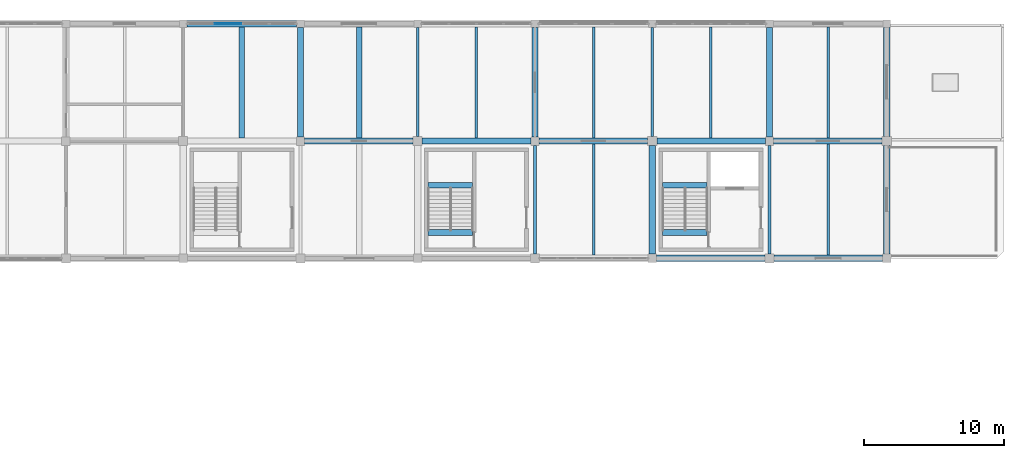
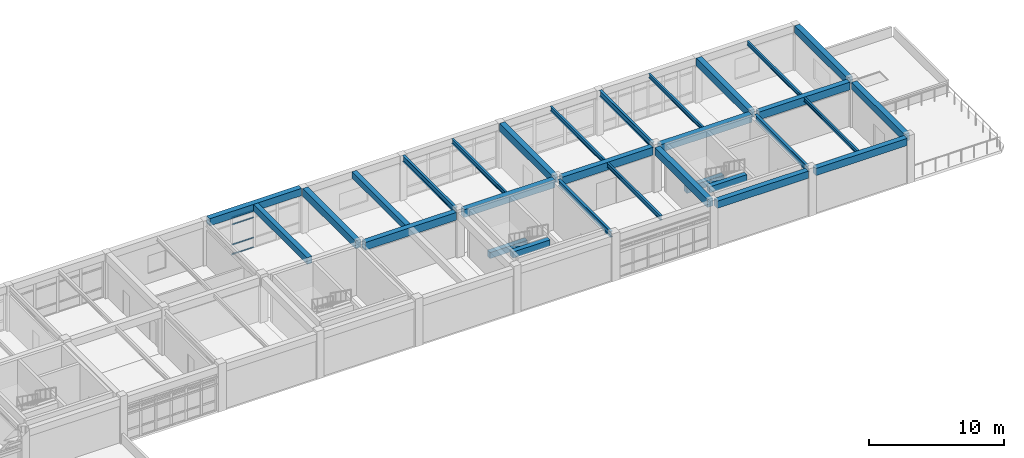
# One storey, part 8 of 18: 30 beams, 4 members, 1 element without a shape of its own.
"""IFC4 building model written with IfcOpenShell, lengths in metres."""

from ifc_helpers import new_model, si_unit, direction, frame, origin, origin_2d, place, context, subcontext, project, spatial, rectangle, i_section, extrude, material, layer, layer_set, material_profile, profile_set, type_object, element, aggregate, save


model = new_model("IFC4")

# Units and contexts
model_context = context("Model", 3, precision=1e-05, world=origin(), true_north=direction((0.0, 1.0)))
body_context = subcontext(model_context, "Body", "Model", "MODEL_VIEW")
ifc_project = project(units=[si_unit("LENGTHUNIT", "METRE"), si_unit("AREAUNIT", "SQUARE_METRE"), si_unit("VOLUMEUNIT", "CUBIC_METRE"), si_unit("PLANEANGLEUNIT", "RADIAN"), si_unit("MASSUNIT", "GRAM", prefix="KILO")], contexts=[model_context])

# Site, building, storey
site_placement = place(None, origin())
site = spatial("IfcSite", under=ifc_project, at=site_placement, CompositionType="ELEMENT")
building_placement = place(site_placement, origin())
building = spatial("IfcBuilding", under=site, at=building_placement, Name="Porcellanite Civic Hall", CompositionType="ELEMENT")
storey_placement = place(building_placement, frame((0.0, 0.0, 23.39990234375)))
storey = spatial("IfcBuildingStorey", under=building, at=storey_placement, Name="L05", CompositionType="ELEMENT", Elevation=23.39990234375)

# Beams
ifc_material_1 = material(Name="Concrete N50 (50 MPa)", Category="concrete")
ifc_material_profile_1 = material_profile(ifc_material_1, rectangle(XDim=0.39990234375, YDim=0.550048828125, at=origin_2d()), Name="RC-400x550")
ifc_profile_set_1 = profile_set([ifc_material_profile_1], Name="Concrete N50 (50 MPa)")
beam_type_1 = type_object("IfcBeamType", Name="BM-RC550", PredefinedType="JOIST", material=ifc_profile_set_1)
beam_1_placement = place(storey_placement, frame((88.199951171875, 109.424560546875, 3.795166015625), z_axis=(0.0, 1.0, 0.0), x_axis=(-1.0, 0.0, 0.0)))
element("IfcBeam", 1, at=beam_1_placement, inside=storey, type_object=beam_type_1, Name="Secondary joist L05 11-14", PredefinedType="JOIST", context=body_context, shape_type="SweptSolid", body=[
    extrude(rectangle(XDim=0.39990234375, YDim=0.550048828125, at=origin_2d()), origin(), (0.0, 0.0, 1.0), 7.950927734375),
])
for number, where, z_axis, x_axis, name in (
    (2, (109.9404296875, 106.02490234375, 1.705078125), (1.0, 0.0, 0.0), (0.0, 1.0, 0.0), "Stair landing beam C4 L05"),
    (3, (109.9404296875, 102.64990234375, 3.795166015625), (1.0, 0.0, 0.0), (0.0, 1.0, 0.0), "Stair header beam C4 L05"),
):
    element("IfcBeam", number, at=place(storey_placement, frame(where, z_axis=z_axis, x_axis=x_axis)), inside=storey, type_object=beam_type_1, Name=name, PredefinedType="JOIST", context=body_context, shape_type="SweptSolid", body=[
        extrude(rectangle(XDim=0.39990234375, YDim=0.550048828125, at=origin_2d()), origin(), (0.0, 0.0, 1.0), 3.178955078125),
    ])
for number, where, z_axis, x_axis, name in (
    (4, (93.140380859375, 106.02490234375, 1.705078125), (1.0, 0.0, 0.0), (0.0, 1.0, 0.0), "Stair landing beam S10 L05"),
    (5, (93.140380859375, 102.64990234375, 3.795166015625), (1.0, 0.0, 0.0), (0.0, 1.0, 0.0), "Stair header beam S10 L05"),
):
    element("IfcBeam", number, at=place(storey_placement, frame(where, z_axis=z_axis, x_axis=x_axis)), inside=storey, type_object=beam_type_1, Name=name, PredefinedType="JOIST", context=body_context, shape_type="SweptSolid", body=[
        extrude(rectangle(XDim=0.39990234375, YDim=0.550048828125, at=origin_2d()), origin(), (0.0, 0.0, 1.0), 3.17919921875),
    ])
ifc_material_2 = material(Name="Concrete N50 (50 MPa)", Category="concrete")
ifc_material_profile_2 = material_profile(ifc_material_2, rectangle(XDim=0.39990234375, YDim=0.60009765625, at=origin_2d()), Name="RC-400x600")
ifc_profile_set_2 = profile_set([ifc_material_profile_2], Name="Concrete N50 (50 MPa)")
beam_type_2 = type_object("IfcBeamType", Name="BM-RC600", PredefinedType="JOIST", material=ifc_profile_set_2)
beam_2_placement = place(storey_placement, frame((79.800048828125, 109.424560546875, 3.77001953125), z_axis=(0.0, 1.0, 0.0), x_axis=(-1.0, 0.0, 0.0)))
element("IfcBeam", 6, at=beam_2_placement, inside=storey, type_object=beam_type_2, Name="Secondary joist L05 10-14", PredefinedType="JOIST", context=body_context, shape_type="SweptSolid", body=[
    extrude(rectangle(XDim=0.39990234375, YDim=0.60009765625, at=origin_2d()), origin(), (0.0, 0.0, 1.0), 7.950927734375),
])
ifc_material_3 = material(Name="Concrete N50 (50 MPa)", Category="concrete")
ifc_material_profile_3 = material_profile(ifc_material_3, rectangle(XDim=0.449951171875, YDim=0.64990234375, at=origin_2d()), Name="RC-450x650")
ifc_profile_set_3 = profile_set([ifc_material_profile_3], Name="Concrete N50 (50 MPa)")
beam_type_3 = type_object("IfcBeamType", Name="BM-RC650", PredefinedType="SPANDREL", material=ifc_profile_set_3)
beam_3_placement = place(storey_placement, frame((75.87451171875, 117.60009765625, 3.7451171875), z_axis=(1.0, 0.0, 0.0), x_axis=(0.0, 1.0, 0.0)))
element("IfcBeam", 7, at=beam_3_placement, inside=storey, type_object=beam_type_3, Name="Beam X L05 10-15", PredefinedType="SPANDREL", context=body_context, shape_type="SweptSolid", body=[
    extrude(rectangle(XDim=0.449951171875, YDim=0.64990234375, at=origin_2d()), origin(), (0.0, 0.0, 1.0), 7.85107421875),
])
for number, where, z_axis, x_axis, name in (
    (8, (109.49951171875, 100.800048828125, 3.7451171875), (1.0, 0.0, 0.0), (0.0, 1.0, 0.0), "Beam X L05 14-13"),
    (9, (117.924560546875, 100.800048828125, 3.7451171875), (1.0, 0.0, 0.0), (0.0, 1.0, 0.0), "Beam X L05 15-13"),
    (10, (126.0, 101.099609375, 3.7451171875), (0.0, 1.0, 0.0), (-1.0, 0.0, 0.0), "Beam Y L05 16-13"),
):
    element("IfcBeam", number, at=place(storey_placement, frame(where, z_axis=z_axis, x_axis=x_axis)), inside=storey, type_object=beam_type_3, Name=name, PredefinedType="SPANDREL", context=body_context, shape_type="SweptSolid", body=[
        extrude(rectangle(XDim=0.449951171875, YDim=0.64990234375, at=origin_2d()), origin(), (0.0, 0.0, 1.0), 7.77587890625),
    ])
beam_4_placement = place(storey_placement, frame((126.0, 109.5244140625, 3.7451171875), z_axis=(0.0, 1.0, 0.0), x_axis=(-1.0, 0.0, 0.0)))
element("IfcBeam", 11, at=beam_4_placement, inside=storey, type_object=beam_type_3, Name="Beam Y L05 16-14", PredefinedType="SPANDREL", context=body_context, shape_type="SweptSolid", body=[
    extrude(rectangle(XDim=0.449951171875, YDim=0.64990234375, at=origin_2d()), origin(), (0.0, 0.0, 1.0), 7.801025390625),
])
ifc_material_4 = material(Name="Concrete N50 (50 MPa)", Category="concrete")
ifc_material_profile_4 = material_profile(ifc_material_4, rectangle(XDim=0.449951171875, YDim=0.699951171875, at=origin_2d()), Name="RC-450x700")
ifc_profile_set_4 = profile_set([ifc_material_profile_4], Name="Concrete N50 (50 MPa)")
beam_type_4 = type_object("IfcBeamType", Name="BM-RC700", PredefinedType="BEAM", material=ifc_profile_set_4)
for number, where, z_axis, x_axis, name in (
    (12, (84.299560546875, 109.199951171875, 3.72021484375), (1.0, 0.0, 0.0), (0.0, 1.0, 0.0), "Beam X L05 11-14"),
    (13, (92.724609375, 109.199951171875, 3.72021484375), (1.0, 0.0, 0.0), (0.0, 1.0, 0.0), "Beam X L05 12-14"),
    (14, (101.099609375, 109.199951171875, 3.72021484375), (1.0, 0.0, 0.0), (0.0, 1.0, 0.0), "Beam X L05 13-14"),
):
    element("IfcBeam", number, at=place(storey_placement, frame(where, z_axis=z_axis, x_axis=x_axis)), inside=storey, type_object=beam_type_4, Name=name, PredefinedType="BEAM", context=body_context, shape_type="SweptSolid", body=[
        extrude(rectangle(XDim=0.449951171875, YDim=0.699951171875, at=origin_2d()), origin(), (0.0, 0.0, 1.0), 7.77587890625),
    ])
for number, where, z_axis, x_axis, name in (
    (15, (109.5244140625, 109.199951171875, 3.72021484375), (1.0, 0.0, 0.0), (0.0, 1.0, 0.0), "Beam X L05 14-14"),
    (16, (117.8994140625, 109.199951171875, 3.72021484375), (1.0, 0.0, 0.0), (0.0, 1.0, 0.0), "Beam X L05 15-14"),
):
    element("IfcBeam", number, at=place(storey_placement, frame(where, z_axis=z_axis, x_axis=x_axis)), inside=storey, type_object=beam_type_4, Name=name, PredefinedType="BEAM", context=body_context, shape_type="SweptSolid", body=[
        extrude(rectangle(XDim=0.449951171875, YDim=0.699951171875, at=origin_2d()), origin(), (0.0, 0.0, 1.0), 7.776123046875),
    ])
for number, where, z_axis, x_axis, name in (
    (17, (84.0, 109.49951171875, 3.72021484375), (0.0, 1.0, 0.0), (-1.0, 0.0, 0.0), "Beam Y L05 11-14"),
    (18, (100.800048828125, 109.49951171875, 3.72021484375), (0.0, 1.0, 0.0), (-1.0, 0.0, 0.0), "Beam Y L05 13-14"),
):
    element("IfcBeam", number, at=place(storey_placement, frame(where, z_axis=z_axis, x_axis=x_axis)), inside=storey, type_object=beam_type_4, Name=name, PredefinedType="BEAM", context=body_context, shape_type="SweptSolid", body=[
        extrude(rectangle(XDim=0.449951171875, YDim=0.699951171875, at=origin_2d()), origin(), (0.0, 0.0, 1.0), 7.825927734375),
    ])
beam_5_placement = place(storey_placement, frame((109.199951171875, 101.099609375, 3.72021484375), z_axis=(0.0, 1.0, 0.0), x_axis=(-1.0, 0.0, 0.0)))
element("IfcBeam", 19, at=beam_5_placement, inside=storey, type_object=beam_type_4, Name="Beam Y L05 14-13", PredefinedType="BEAM", context=body_context, shape_type="SweptSolid", body=[
    extrude(rectangle(XDim=0.449951171875, YDim=0.699951171875, at=origin_2d()), origin(), (0.0, 0.0, 1.0), 7.77587890625),
])
beam_6_placement = place(storey_placement, frame((117.60009765625, 109.49951171875, 3.72021484375), z_axis=(0.0, 1.0, 0.0), x_axis=(-1.0, 0.0, 0.0)))
element("IfcBeam", 20, at=beam_6_placement, inside=storey, type_object=beam_type_4, Name="Beam Y L05 15-14", PredefinedType="BEAM", context=body_context, shape_type="SweptSolid", body=[
    extrude(rectangle(XDim=0.449951171875, YDim=0.699951171875, at=origin_2d()), origin(), (0.0, 0.0, 1.0), 7.825927734375),
])

# Curtain wall, members
ifc_material_5 = material(Name="Anodised aluminium and solar laminated glass", Category="aluminium")
ifc_layer = layer(ifc_material_5, 0.179931640625)
ifc_layer_set = layer_set([ifc_layer], Name="Anodised aluminium and solar laminated glass")
curtain_wall_type = type_object("IfcCurtainWallType", Name="CW-SYS04", PredefinedType="NOTDEFINED", material=ifc_layer_set)
curtain_wall_placement = place(storey_placement, origin())
curtain_wall = element("IfcCurtainWall", 21, at=curtain_wall_placement, inside=storey, type_object=curtain_wall_type, Name="Curtain wall CW-265", PredefinedType="NOTDEFINED")
ifc_material_6 = material(Name="Anodised aluminium 6063-T6", Category="aluminium")
ifc_material_profile_5 = material_profile(ifc_material_6, rectangle(XDim=0.054931640625, YDim=0.10009765625, at=origin_2d()), Name="AL-55x100")
ifc_profile_set_5 = profile_set([ifc_material_profile_5], Name="Anodised aluminium 6063-T6")
member_type = type_object("IfcMemberType", Name="CWT-05", PredefinedType="USERDEFINED", material=ifc_profile_set_5)
member_1_placement = place(storey_placement, frame((77.87548828125, 117.60009765625, 0.027587890625), z_axis=(1.0, 0.0, 0.0), x_axis=(0.0, 1.0, 0.0)))
member_1 = element("IfcMember", 22, at=member_1_placement, type_object=member_type, Name="CW-265 transom 2.1", ObjectType="TRANSOM", PredefinedType="USERDEFINED", context=body_context, shape_type="SweptSolid", body=[
    extrude(rectangle(XDim=0.054931640625, YDim=0.10009765625, at=origin_2d()), origin(), (0.0, 0.0, 1.0), 1.886962890625),
])
member_2_placement = place(storey_placement, frame((77.87548828125, 117.60009765625, 0.900146484375), z_axis=(1.0, 0.0, 0.0), x_axis=(0.0, 1.0, 0.0)))
member_2 = element("IfcMember", 23, at=member_2_placement, type_object=member_type, Name="CW-265 transom 2.2", ObjectType="TRANSOM", PredefinedType="USERDEFINED", context=body_context, shape_type="SweptSolid", body=[
    extrude(rectangle(XDim=0.054931640625, YDim=0.10009765625, at=origin_2d()), origin(), (0.0, 0.0, 1.0), 1.886962890625),
])
member_3_placement = place(storey_placement, frame((77.87548828125, 117.60009765625, 2.72021484375), z_axis=(1.0, 0.0, 0.0), x_axis=(0.0, 1.0, 0.0)))
member_3 = element("IfcMember", 24, at=member_3_placement, type_object=member_type, Name="CW-265 transom 2.3", ObjectType="TRANSOM", PredefinedType="USERDEFINED", context=body_context, shape_type="SweptSolid", body=[
    extrude(rectangle(XDim=0.054931640625, YDim=0.10009765625, at=origin_2d()), origin(), (0.0, 0.0, 1.0), 1.886962890625),
])
member_4_placement = place(storey_placement, frame((77.87548828125, 117.60009765625, 3.342529296875), z_axis=(1.0, 0.0, 0.0), x_axis=(0.0, 1.0, 0.0)))
member_4 = element("IfcMember", 25, at=member_4_placement, type_object=member_type, Name="CW-265 transom 2.4", ObjectType="TRANSOM", PredefinedType="USERDEFINED", context=body_context, shape_type="SweptSolid", body=[
    extrude(rectangle(XDim=0.054931640625, YDim=0.10009765625, at=origin_2d()), origin(), (0.0, 0.0, 1.0), 1.886962890625),
])
aggregate(curtain_wall, [member_1, member_2, member_3, member_4])

# Beams
ifc_material_7 = material(Name="Steel Grade 350", Category="steel")
ifc_material_profile_6 = material_profile(ifc_material_7, i_section(OverallWidth=0.1708984375, OverallDepth=0.35595703125, WebThickness=0.00732421875, FlangeThickness=0.011474609375, FilletRadius=0.011474609375, at=origin_2d()), Name="360UB50.7")
ifc_profile_set_6 = profile_set([ifc_material_profile_6], Name="Steel Grade 350")
beam_type_5 = type_object("IfcBeamType", Name="JST-360UB51", PredefinedType="JOIST", material=ifc_profile_set_6)
beam_7_placement = place(storey_placement, frame((121.800048828125, 109.424560546875, 3.89208984375), z_axis=(0.0, 1.0, 0.0), x_axis=(-1.0, 0.0, 0.0)))
element("IfcBeam", 26, at=beam_7_placement, inside=storey, type_object=beam_type_5, Name="Secondary joist L05 15-14", PredefinedType="JOIST", context=body_context, shape_type="SweptSolid", body=[
    extrude(i_section(OverallWidth=0.1708984375, OverallDepth=0.35595703125, WebThickness=0.00732421875, FlangeThickness=0.011474609375, FilletRadius=0.011474609375, at=origin_2d()), origin(), (0.0, 0.0, 1.0), 7.950927734375),
])
ifc_material_8 = material(Name="Steel Grade 350", Category="steel")
ifc_material_profile_7 = material_profile(ifc_material_8, i_section(OverallWidth=0.172119140625, OverallDepth=0.35888671875, WebThickness=0.008056640625, FlangeThickness=0.012939453125, FilletRadius=0.011474609375, at=origin_2d()), Name="360UB56.7")
ifc_profile_set_7 = profile_set([ifc_material_profile_7], Name="Steel Grade 350")
beam_type_6 = type_object("IfcBeamType", Name="JST-360UB57", PredefinedType="JOIST", material=ifc_profile_set_7)
beam_8_placement = place(storey_placement, frame((113.39990234375, 109.424560546875, 3.890625), z_axis=(0.0, 1.0, 0.0), x_axis=(-1.0, 0.0, 0.0)))
element("IfcBeam", 27, at=beam_8_placement, inside=storey, type_object=beam_type_6, Name="Secondary joist L05 14-14", PredefinedType="JOIST", context=body_context, shape_type="SweptSolid", body=[
    extrude(i_section(OverallWidth=0.172119140625, OverallDepth=0.35888671875, WebThickness=0.008056640625, FlangeThickness=0.012939453125, FilletRadius=0.011474609375, at=origin_2d()), origin(), (0.0, 0.0, 1.0), 7.950927734375),
])
beam_9_placement = place(storey_placement, frame((121.800048828125, 101.0244140625, 3.890625), z_axis=(0.0, 1.0, 0.0), x_axis=(-1.0, 0.0, 0.0)))
element("IfcBeam", 28, at=beam_9_placement, inside=storey, type_object=beam_type_6, Name="Secondary joist L05 15-13", PredefinedType="JOIST", context=body_context, shape_type="SweptSolid", body=[
    extrude(i_section(OverallWidth=0.172119140625, OverallDepth=0.35888671875, WebThickness=0.008056640625, FlangeThickness=0.012939453125, FilletRadius=0.011474609375, at=origin_2d()), origin(), (0.0, 0.0, 1.0), 7.951171875),
])
ifc_material_9 = material(Name="Steel Grade 350", Category="steel")
ifc_material_profile_8 = material_profile(ifc_material_9, i_section(OverallWidth=0.177978515625, OverallDepth=0.403076171875, WebThickness=0.007568359375, FlangeThickness=0.010986328125, FilletRadius=0.011474609375, at=origin_2d()), Name="410UB53.7")
ifc_profile_set_8 = profile_set([ifc_material_profile_8], Name="Steel Grade 350")
beam_type_7 = type_object("IfcBeamType", Name="JST-410UB54", PredefinedType="JOIST", material=ifc_profile_set_8)
beam_10_placement = place(storey_placement, frame((105.0, 109.424560546875, 3.86865234375), z_axis=(0.0, 1.0, 0.0), x_axis=(-1.0, 0.0, 0.0)))
element("IfcBeam", 29, at=beam_10_placement, inside=storey, type_object=beam_type_7, Name="Secondary joist L05 13-14", PredefinedType="JOIST", context=body_context, shape_type="SweptSolid", body=[
    extrude(i_section(OverallWidth=0.177978515625, OverallDepth=0.403076171875, WebThickness=0.007568359375, FlangeThickness=0.010986328125, FilletRadius=0.011474609375, at=origin_2d()), origin(), (0.0, 0.0, 1.0), 7.950927734375),
])
ifc_material_10 = material(Name="Steel Grade 350", Category="steel")
ifc_material_profile_9 = material_profile(ifc_material_10, i_section(OverallWidth=0.177978515625, OverallDepth=0.406005859375, WebThickness=0.0078125, FlangeThickness=0.0126953125, FilletRadius=0.011474609375, at=origin_2d()), Name="410UB59.7")
ifc_profile_set_9 = profile_set([ifc_material_profile_9], Name="Steel Grade 350")
beam_type_8 = type_object("IfcBeamType", Name="JST-410UB60", PredefinedType="JOIST", material=ifc_profile_set_9)
beam_11_placement = place(storey_placement, frame((96.60009765625, 109.424560546875, 3.8671875), z_axis=(0.0, 1.0, 0.0), x_axis=(-1.0, 0.0, 0.0)))
element("IfcBeam", 30, at=beam_11_placement, inside=storey, type_object=beam_type_8, Name="Secondary joist L05 12-14", PredefinedType="JOIST", context=body_context, shape_type="SweptSolid", body=[
    extrude(i_section(OverallWidth=0.177978515625, OverallDepth=0.406005859375, WebThickness=0.0078125, FlangeThickness=0.0126953125, FilletRadius=0.011474609375, at=origin_2d()), origin(), (0.0, 0.0, 1.0), 7.950927734375),
])
beam_12_placement = place(storey_placement, frame((105.0, 101.0244140625, 3.8671875), z_axis=(0.0, 1.0, 0.0), x_axis=(-1.0, 0.0, 0.0)))
element("IfcBeam", 31, at=beam_12_placement, inside=storey, type_object=beam_type_8, Name="Secondary joist L05 13-13", PredefinedType="JOIST", context=body_context, shape_type="SweptSolid", body=[
    extrude(i_section(OverallWidth=0.177978515625, OverallDepth=0.406005859375, WebThickness=0.0078125, FlangeThickness=0.0126953125, FilletRadius=0.011474609375, at=origin_2d()), origin(), (0.0, 0.0, 1.0), 7.951171875),
])
ifc_material_11 = material(Name="Steel Grade 350", Category="steel")
ifc_material_profile_10 = material_profile(ifc_material_11, i_section(OverallWidth=0.208984375, OverallDepth=0.528076171875, WebThickness=0.009521484375, FlangeThickness=0.01318359375, FilletRadius=0.013916015625, at=origin_2d()), Name="530UB82.0")
ifc_profile_set_10 = profile_set([ifc_material_profile_10], Name="Steel Grade 350")
beam_type_9 = type_object("IfcBeamType", Name="RAF-530UB82", PredefinedType="BEAM", material=ifc_profile_set_10)
beam_13_placement = place(storey_placement, frame((92.39990234375, 109.5244140625, 3.80615234375), z_axis=(0.0, 1.0, 0.0), x_axis=(-1.0, 0.0, 0.0)))
element("IfcBeam", 32, at=beam_13_placement, inside=storey, type_object=beam_type_9, Name="Beam Y L05 12-14", PredefinedType="BEAM", context=body_context, shape_type="SweptSolid", body=[
    extrude(i_section(OverallWidth=0.208984375, OverallDepth=0.528076171875, WebThickness=0.009521484375, FlangeThickness=0.01318359375, FilletRadius=0.013916015625, at=origin_2d()), origin(), (0.0, 0.0, 1.0), 7.801025390625),
])
beam_14_placement = place(storey_placement, frame((100.800048828125, 101.12451171875, 3.80615234375), z_axis=(0.0, 1.0, 0.0), x_axis=(-1.0, 0.0, 0.0)))
element("IfcBeam", 33, at=beam_14_placement, inside=storey, type_object=beam_type_9, Name="Beam Y L05 13-13", PredefinedType="BEAM", context=body_context, shape_type="SweptSolid", body=[
    extrude(i_section(OverallWidth=0.208984375, OverallDepth=0.528076171875, WebThickness=0.009521484375, FlangeThickness=0.01318359375, FilletRadius=0.013916015625, at=origin_2d()), origin(), (0.0, 0.0, 1.0), 7.77587890625),
])
beam_15_placement = place(storey_placement, frame((109.199951171875, 109.5244140625, 3.80615234375), z_axis=(0.0, 1.0, 0.0), x_axis=(-1.0, 0.0, 0.0)))
element("IfcBeam", 34, at=beam_15_placement, inside=storey, type_object=beam_type_9, Name="Beam Y L05 14-14", PredefinedType="BEAM", context=body_context, shape_type="SweptSolid", body=[
    extrude(i_section(OverallWidth=0.208984375, OverallDepth=0.528076171875, WebThickness=0.009521484375, FlangeThickness=0.01318359375, FilletRadius=0.013916015625, at=origin_2d()), origin(), (0.0, 0.0, 1.0), 7.801025390625),
])
beam_16_placement = place(storey_placement, frame((117.60009765625, 101.12451171875, 3.80615234375), z_axis=(0.0, 1.0, 0.0), x_axis=(-1.0, 0.0, 0.0)))
element("IfcBeam", 35, at=beam_16_placement, inside=storey, type_object=beam_type_9, Name="Beam Y L05 15-13", PredefinedType="BEAM", context=body_context, shape_type="SweptSolid", body=[
    extrude(i_section(OverallWidth=0.208984375, OverallDepth=0.528076171875, WebThickness=0.009521484375, FlangeThickness=0.01318359375, FilletRadius=0.013916015625, at=origin_2d()), origin(), (0.0, 0.0, 1.0), 7.77587890625),
])

save(model, "model.ifc")
